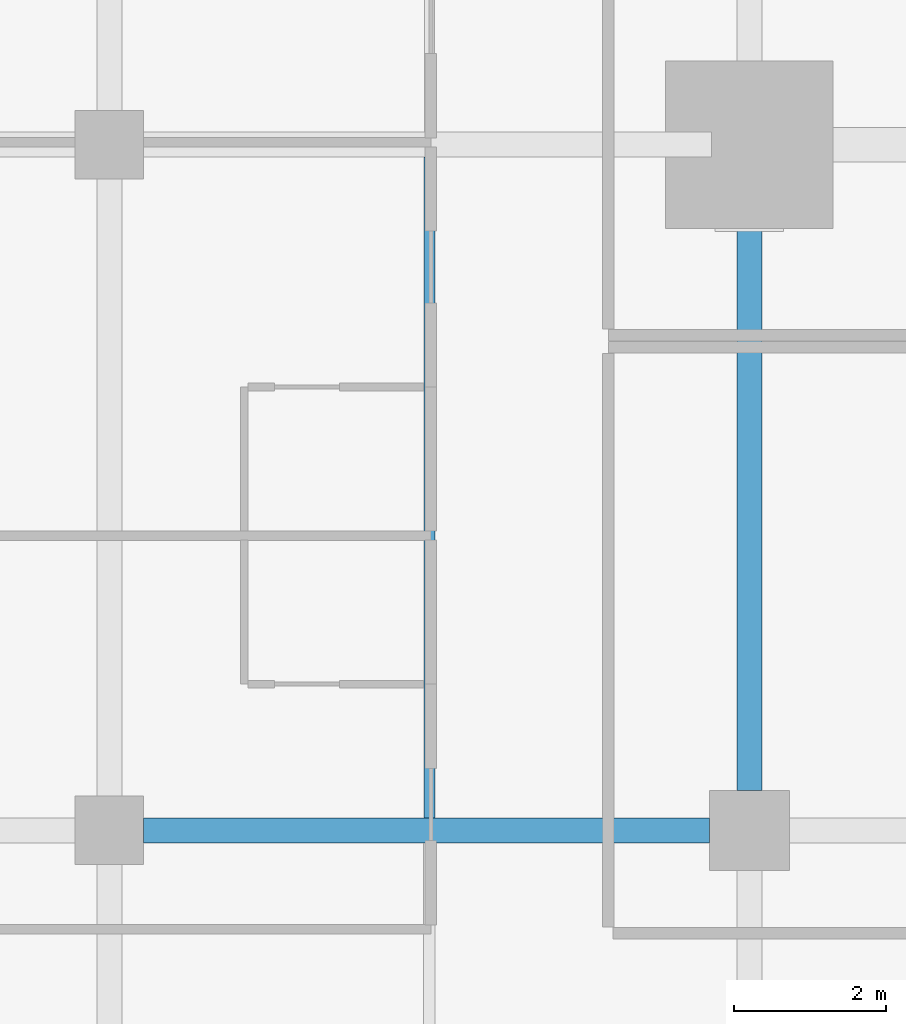
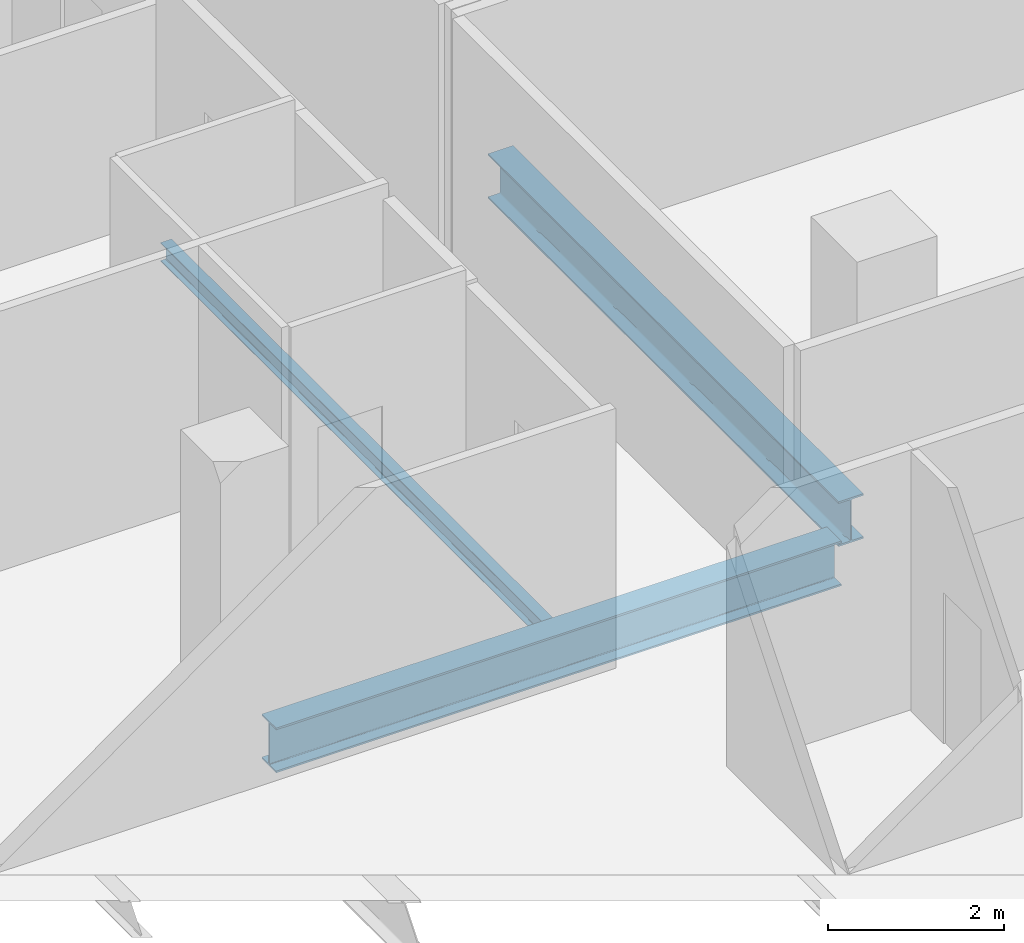
# One storey, part 11 of 39: 3 beams.
"""IFC4 building model written with IfcOpenShell, lengths in metres."""

from ifc_helpers import new_model, si_unit, direction, frame, origin, origin_2d, place, context, subcontext, project, spatial, i_section, extrude, material, material_profile, profile_set, type_object, element, save


model = new_model("IFC4")

# Units and contexts
model_context = context("Model", 3, precision=1e-05, world=origin(), true_north=direction((0.0, 1.0)))
body_context = subcontext(model_context, "Body", "Model", "MODEL_VIEW")
ifc_project = project(units=[si_unit("LENGTHUNIT", "METRE"), si_unit("AREAUNIT", "SQUARE_METRE"), si_unit("VOLUMEUNIT", "CUBIC_METRE"), si_unit("PLANEANGLEUNIT", "RADIAN"), si_unit("MASSUNIT", "GRAM", prefix="KILO")], contexts=[model_context])

# Site, building, storey
site_placement = place(None, origin())
site = spatial("IfcSite", under=ifc_project, at=site_placement, CompositionType="ELEMENT")
building_placement = place(site_placement, origin())
building = spatial("IfcBuilding", under=site, at=building_placement, Name="Maruvema Waterfront Hotel and Observation Tower", CompositionType="ELEMENT")
storey_placement = place(building_placement, frame((0.0, 0.0, 46.199951171875)))
storey = spatial("IfcBuildingStorey", under=building, at=storey_placement, Name="L10", CompositionType="ELEMENT", Elevation=46.199951171875)

# Beams
ifc_material_1 = material(Name="Steel ASTM A572 Grade 50", Category="steel")
ifc_material_profile_1 = material_profile(ifc_material_1, i_section(OverallWidth=0.326904296875, OverallDepth=0.6220703125, WebThickness=0.015380859375, FlangeThickness=0.0244140625, FilletRadius=0.01806640625, at=origin_2d()), Name="W610x195.0")
ifc_profile_set_1 = profile_set([ifc_material_profile_1], Name="Steel ASTM A572 Grade 50")
beam_type_1 = type_object("IfcBeamType", Name="Primary Floor Girder W610x195.0", PredefinedType="BEAM", material=ifc_profile_set_1)
beam_1_placement = place(storey_placement, frame((17.25, 18.0, -0.551025390625), z_axis=(1.0, 0.0, 0.0), x_axis=(0.0, 1.0, 0.0)))
element("IfcBeam", 1, at=beam_1_placement, inside=storey, type_object=beam_type_1, Name="L10 Floor Girder EW-14", PredefinedType="BEAM", context=body_context, shape_type="SweptSolid", body=[
    extrude(i_section(OverallWidth=0.326904296875, OverallDepth=0.6220703125, WebThickness=0.015380859375, FlangeThickness=0.0244140625, FilletRadius=0.01806640625, at=origin_2d()), origin(), (0.0, 0.0, 1.0), 7.425048828125),
])
beam_2_placement = place(storey_placement, frame((25.199951171875, 18.52490234375, -0.551025390625), z_axis=(0.0, 1.0, 0.0), x_axis=(-1.0, 0.0, 0.0)))
element("IfcBeam", 2, at=beam_2_placement, inside=storey, type_object=beam_type_1, Name="L10 Floor Girder NS-13", PredefinedType="BEAM", context=body_context, shape_type="SweptSolid", body=[
    extrude(i_section(OverallWidth=0.326904296875, OverallDepth=0.6220703125, WebThickness=0.015380859375, FlangeThickness=0.0244140625, FilletRadius=0.01806640625, at=origin_2d()), origin(), (0.0, 0.0, 1.0), 7.97509765625),
])
ifc_material_2 = material(Name="Steel ASTM A572 Grade 50", Category="steel")
ifc_material_profile_2 = material_profile(ifc_material_2, i_section(OverallWidth=0.14599609375, OverallDepth=0.258056640625, WebThickness=0.006103515625, FlangeThickness=0.009033203125, FilletRadius=0.012939453125, at=origin_2d()), Name="W250x32.7")
ifc_profile_set_2 = profile_set([ifc_material_profile_2], Name="Steel ASTM A572 Grade 50")
beam_type_2 = type_object("IfcBeamType", Name="Secondary Floor Joist W250x32.7", PredefinedType="JOIST", material=ifc_profile_set_2)
beam_3_placement = place(storey_placement, frame((21.0, 18.16357421875, -0.368896484375), z_axis=(0.0, 1.0, 0.0), x_axis=(-1.0, 0.0, 0.0)))
element("IfcBeam", 3, at=beam_3_placement, inside=storey, type_object=beam_type_2, Name="L10 Secondary Floor Joist JS-07", PredefinedType="JOIST", context=body_context, shape_type="SweptSolid", body=[
    extrude(i_section(OverallWidth=0.14599609375, OverallDepth=0.258056640625, WebThickness=0.006103515625, FlangeThickness=0.009033203125, FilletRadius=0.012939453125, at=origin_2d()), origin(), (0.0, 0.0, 1.0), 8.6728515625),
])

save(model, "model.ifc")
